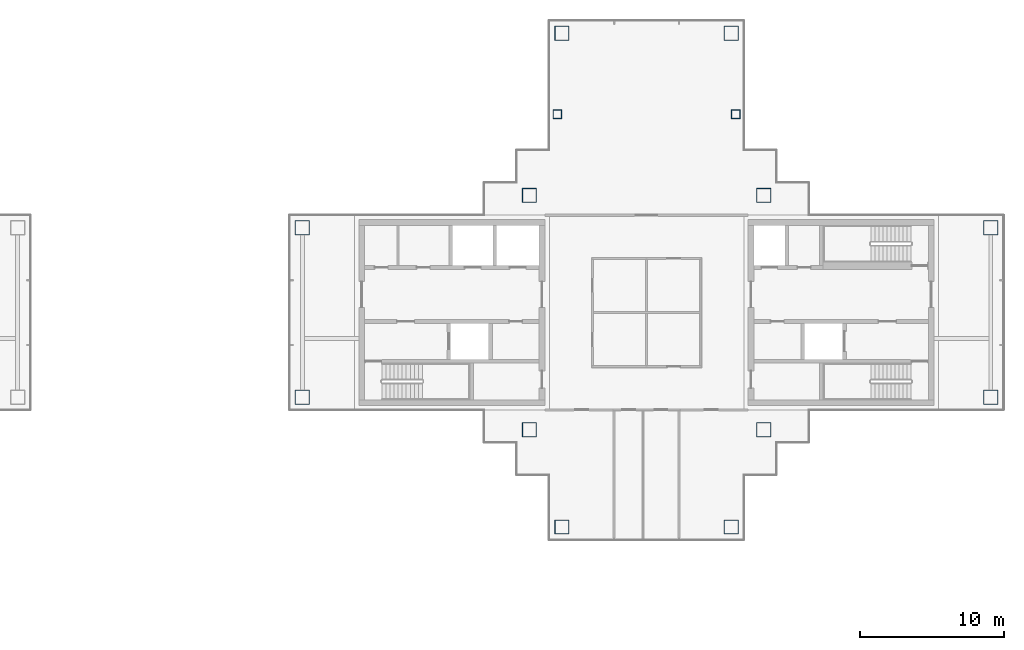
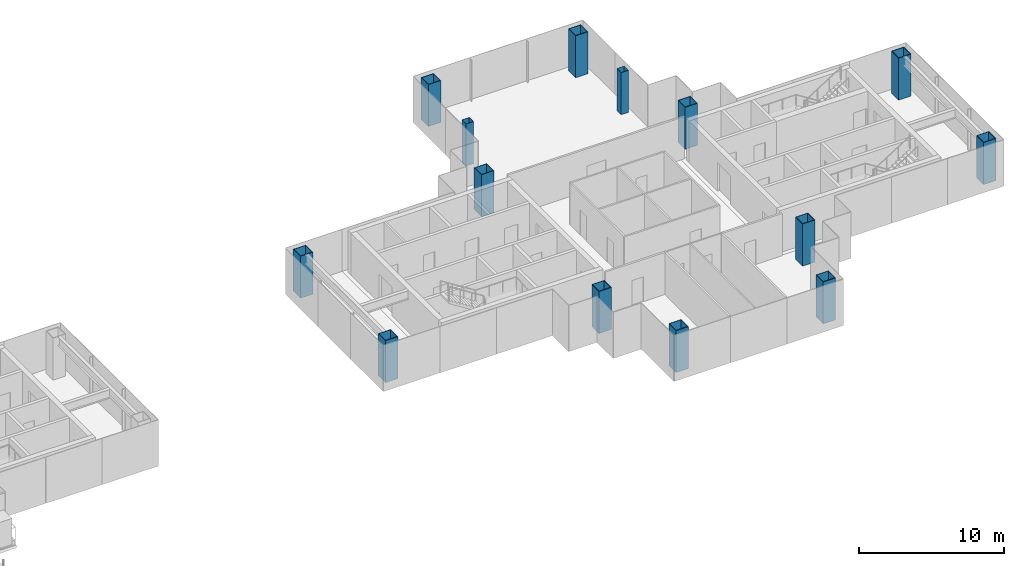
# One storey, part 2 of 15: 14 columns.
"""IFC4 building model written with IfcOpenShell, lengths in metres."""

from ifc_helpers import new_model, si_unit, direction, frame, origin, origin_2d, place, context, subcontext, project, spatial, hollow_rectangle, extrude, material, material_profile, profile_set, type_object, element, save


model = new_model("IFC4")

# Units and contexts
model_context = context("Model", 3, precision=1e-05, world=origin(), true_north=direction((0.0, 1.0)))
body_context = subcontext(model_context, "Body", "Model", "MODEL_VIEW")
ifc_project = project(units=[si_unit("LENGTHUNIT", "METRE"), si_unit("AREAUNIT", "SQUARE_METRE"), si_unit("VOLUMEUNIT", "CUBIC_METRE"), si_unit("PLANEANGLEUNIT", "RADIAN"), si_unit("MASSUNIT", "GRAM", prefix="KILO")], contexts=[model_context])

# Site, building, storey
site_placement = place(None, origin())
site = spatial("IfcSite", under=ifc_project, at=site_placement, CompositionType="ELEMENT")
building_placement = place(site_placement, origin())
building = spatial("IfcBuilding", under=site, at=building_placement, Name="Shamsa Quay Exchange Towers", CompositionType="ELEMENT")
storey_placement = place(building_placement, frame((0.0, 0.0, 206.10009765625)))
storey = spatial("IfcBuildingStorey", under=building, at=storey_placement, Name="L49", CompositionType="ELEMENT", Elevation=206.10009765625)

# Columns
ifc_material_1 = material(Name="Concrete-filled steel tube S355 / C80/95", Category="concrete")
ifc_material_profile_1 = material_profile(ifc_material_1, hollow_rectangle(XDim=1.0, YDim=1.0, WallThickness=0.0400390625, at=origin_2d()), Name="CFT 1000x1000x40")
ifc_profile_set_1 = profile_set([ifc_material_profile_1], Name="Concrete-filled steel tube S355 / C80/95")
column_type_1 = type_object("IfcColumnType", Name="Column CFT 1000x1000x40", PredefinedType="COLUMN", material=ifc_profile_set_1)
for number, where, name in (
    (1, (25.625, 8.125, 0.0), "Mega column T2-CM01"),
    (2, (41.875, 8.125, 0.0), "Mega column T2-CM02"),
    (3, (25.625, -8.125, 0.0), "Mega column T2-CM03"),
    (4, (41.875, -8.125, 0.0), "Mega column T2-CM04"),
    (5, (39.625, 19.375, 0.0), "Mega column T2-CM06"),
    (6, (27.875, 19.375, 0.0), "Mega column T2-CM10"),
    (7, (39.625, -14.875, 0.0), "Mega column T2-CM13"),
    (8, (27.875, -14.875, 0.0), "Mega column T2-CM16"),
    (9, (9.875, -5.875, 0.0), "Mega column T2-CM19"),
    (10, (9.875, 5.875, 0.0), "Mega column T2-CM20"),
    (11, (57.625, -5.875, 0.0), "Mega column T2-CM21"),
    (12, (57.625, 5.875, 0.0), "Mega column T2-CM23"),
):
    element("IfcColumn", number, at=place(storey_placement, frame(where)), inside=storey, type_object=column_type_1, Name=name, PredefinedType="COLUMN", context=body_context, shape_type="SweptSolid", body=[
        extrude(hollow_rectangle(XDim=1.0, YDim=1.0, WallThickness=0.0400390625, at=origin_2d()), origin(), (0.0, 0.0, 1.0), 3.5498046875),
    ])
ifc_material_2 = material(Name="Concrete-filled steel tube S355 / C60/75", Category="concrete")
ifc_material_profile_2 = material_profile(ifc_material_2, hollow_rectangle(XDim=0.60009765625, YDim=0.60009765625, WallThickness=0.02001953125, at=origin_2d()), Name="CFT 600x600x20")
ifc_profile_set_2 = profile_set([ifc_material_profile_2], Name="Concrete-filled steel tube S355 / C60/75")
column_type_2 = type_object("IfcColumnType", Name="Column CFT 600x600x20", PredefinedType="COLUMN", material=ifc_profile_set_2)
for number, where, name in (
    (13, (39.9375, 13.75, 0.0), "Perimeter column T2-CP05"),
    (14, (27.5625, 13.75, 0.0), "Perimeter column T2-CP09"),
):
    element("IfcColumn", number, at=place(storey_placement, frame(where)), inside=storey, type_object=column_type_2, Name=name, PredefinedType="COLUMN", context=body_context, shape_type="SweptSolid", body=[
        extrude(hollow_rectangle(XDim=0.60009765625, YDim=0.60009765625, WallThickness=0.02001953125, at=origin_2d()), origin(), (0.0, 0.0, 1.0), 3.5498046875),
    ])

save(model, "model.ifc")
